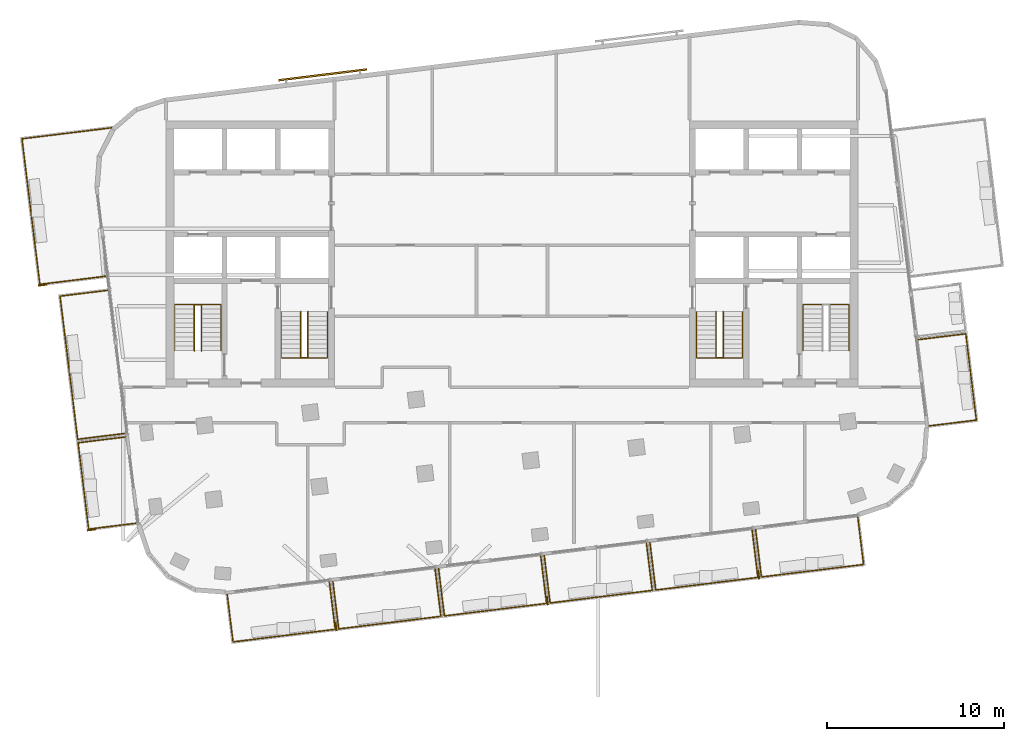
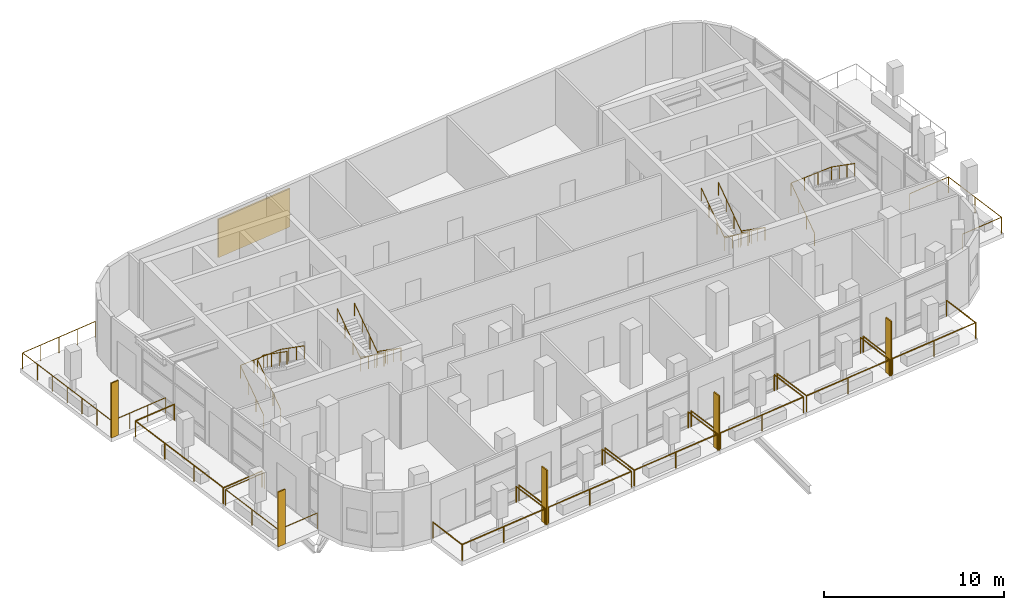
# One storey, part 11 of 13: 17 railings, 6 shading devices.
"""IFC4 building model written with IfcOpenShell, lengths in metres."""

import ifcopenshell
import ifcopenshell.guid

model = None  # the IFC model being written
_history = None  # IfcOwnerHistory: only IFC2X3 demands one
_inside = {}  # id of a spatial element -> (the spatial element, [elements in it])
_under = {}  # id of a project, library or spatial element -> (it, [spatial elements below it])
_declared = {}  # id of a project -> (the project, [libraries it declares])
_typed = {}  # id of a type object -> (the type object, [elements of that type])
_made_of = {}  # id of a material, layer set ... -> (it, [elements and type objects made of it])


def new_model(schema):
    """Start an empty IFC model of exactly this schema.

    Asked for "IFC4X3", IfcOpenShell would pick the latest addendum, in which some entities
    have other attributes; the version numbers below select the first issue.
    IFC2X3 requires an IfcOwnerHistory on every rooted entity: one is made here for all.
    """
    global model, _history
    if schema == "IFC4X3":
        model = ifcopenshell.file(schema_version=(4, 3, 0, 0))
    else:
        model = ifcopenshell.file(schema=schema)
    _inside.clear()
    _under.clear()
    _declared.clear()
    _typed.clear()
    _made_of.clear()
    _history = None
    if model.schema == "IFC2X3":
        org = make("IfcOrganization", Name="unknown")
        user = make(
            "IfcPersonAndOrganization",
            ThePerson=make("IfcPerson", FamilyName="unknown"),
            TheOrganization=org,
        )
        app = make(
            "IfcApplication",
            ApplicationDeveloper=org,
            Version="unknown",
            ApplicationFullName="unknown",
            ApplicationIdentifier="unknown",
        )
        _history = make(
            "IfcOwnerHistory",
            OwningUser=user,
            OwningApplication=app,
            ChangeAction="ADDED",
            CreationDate=0,
        )
    return model


def make(cls, **values):
    """One entity of the class cls with the attributes given. An attribute that is None is left unset."""
    return model.create_entity(
        cls, **{name: value for name, value in values.items() if value is not None}
    )


def rooted(cls, **values):
    """An entity with a GlobalId (a new one), such as an element, a storey or a relation."""
    return make(cls, GlobalId=ifcopenshell.guid.new(), OwnerHistory=_history, **values)


def si_unit(unit_type, name, prefix=None):
    """IfcSIUnit, for example si_unit("LENGTHUNIT", "METRE", prefix="MILLI")."""
    return make("IfcSIUnit", UnitType=unit_type, Prefix=prefix, Name=name)


def assignment(units):
    """IfcUnitAssignment: the units of a project."""
    return None if units is None else make("IfcUnitAssignment", Units=units)


def point(xyz):
    """IfcCartesianPoint."""
    return None if xyz is None else make("IfcCartesianPoint", Coordinates=xyz)


def direction(xyz):
    """IfcDirection."""
    return None if xyz is None else make("IfcDirection", DirectionRatios=xyz)


def frame(location, z_axis=None, x_axis=None):
    """IfcAxis2Placement3D, a coordinate frame: its origin and axes. An axis left out is left unset."""
    return make(
        "IfcAxis2Placement3D",
        Location=point(location),
        Axis=direction(z_axis),
        RefDirection=direction(x_axis),
    )


def frame_2d(location, x_axis=None):
    """IfcAxis2Placement2D, a coordinate frame in the plane: its origin and x axis."""
    return make(
        "IfcAxis2Placement2D", Location=point(location), RefDirection=direction(x_axis)
    )


def origin():
    """The frame at (0, 0, 0) with its axes left unset."""
    return frame((0.0, 0.0, 0.0))


def origin_2d():
    """The frame at (0, 0) in the plane with its x axis left unset."""
    return frame_2d((0.0, 0.0))


def place(relative_to, where):
    """IfcLocalPlacement: puts the frame where relative to a parent placement (None: the world)."""
    return make(
        "IfcLocalPlacement", PlacementRelTo=relative_to, RelativePlacement=where
    )


def context(
    kind, dimensions, precision=None, world=None, true_north=None, identifier=None
):
    """IfcGeometricRepresentationContext, for example the 3D "Model" context."""
    return make(
        "IfcGeometricRepresentationContext",
        ContextIdentifier=identifier,
        ContextType=kind,
        CoordinateSpaceDimension=dimensions,
        Precision=precision,
        WorldCoordinateSystem=world,
        TrueNorth=true_north,
    )


def subcontext(parent, identifier, kind, view, scale=None):
    """IfcGeometricRepresentationSubContext, for example "Body" below "Model"."""
    return make(
        "IfcGeometricRepresentationSubContext",
        ContextIdentifier=identifier,
        ContextType=kind,
        ParentContext=parent,
        TargetScale=scale,
        TargetView=view,
    )


def project(units=None, contexts=None):
    """IfcProject with its units and contexts."""
    return rooted(
        "IfcProject",
        Name="project",
        RepresentationContexts=contexts,
        UnitsInContext=assignment(units),
    )


def spatial(cls, under=None, at=None, **own):
    """A site, building, storey or space (cls), placed at a placement, below another one or the project."""
    s = rooted(cls, ObjectPlacement=at, **own)
    if under is not None:
        _under.setdefault(under.id(), (under, []))[1].append(s)
    return s


def profile(cls, at=None, kind="AREA", **sizes):
    """A parametric profile (cls). Its sizes go by their IFC names, for example OverallWidth=200.0."""
    return make(cls, ProfileType=kind, Position=at, **sizes)


def rectangle(**sizes):
    """IfcRectangleProfileDef."""
    return profile("IfcRectangleProfileDef", **sizes)


def circle(**sizes):
    """IfcCircleProfileDef."""
    return profile("IfcCircleProfileDef", **sizes)


def extrude(swept, where, along, depth):
    """IfcExtrudedAreaSolid: the profile swept, set in the frame where, extruded along a direction by depth."""
    return make(
        "IfcExtrudedAreaSolid",
        SweptArea=swept,
        Position=where,
        ExtrudedDirection=direction(along),
        Depth=depth,
    )


def shape(context_of_items, identifier, shape_type, items):
    """IfcShapeRepresentation: the items that make up one representation, for example the "Body"."""
    return make(
        "IfcShapeRepresentation",
        ContextOfItems=context_of_items,
        RepresentationIdentifier=identifier,
        RepresentationType=shape_type,
        Items=items,
    )


def material(Name=None, Category=None):
    """IfcMaterial."""
    return make("IfcMaterial", Name=Name, Category=Category)


def layer(
    of_material, thickness, ventilated=None, Name=None, Category=None, Priority=None
):
    """IfcMaterialLayer: one layer of a wall or slab, of a material (None: an air gap)."""
    return make(
        "IfcMaterialLayer",
        Material=of_material,
        LayerThickness=thickness,
        IsVentilated=ventilated,
        Name=Name,
        Category=Category,
        Priority=Priority,
    )


def layer_set(layers, Name=None):
    """IfcMaterialLayerSet."""
    return make("IfcMaterialLayerSet", MaterialLayers=layers, LayerSetName=Name)


def made_of(thing, what):
    """Note that an element or type object is made of a material, layer set ...; save() writes the relation."""
    if what is not None:
        _made_of.setdefault(what.id(), (what, []))[1].append(thing)
    return thing


def type_object(cls, material=None, **own):
    """A type object (cls), such as IfcWallType, which elements share."""
    return made_of(rooted(cls, **own), material)


def element(
    cls,
    number,
    at=None,
    inside=None,
    cuts=None,
    type_object=None,
    material=None,
    context=None,
    identifier="Body",
    shape_type=None,
    held_by="IfcProductDefinitionShape",
    body=None,
    shapes=None,
    **own,
):
    """One element of the class cls, such as IfcWall. Its Tag is "e" and its number.

    at: its placement. inside: the storey or other place that contains it. cuts: it is an
    opening in that element (IfcRelVoidsElement). A single representation is given by context,
    identifier, shape_type and body (its items); several are given by shapes. held_by: the class
    of the entity that holds the representations. save() writes the other relations.
    """
    e = rooted(cls, Tag="e%d" % number, ObjectPlacement=at, **own)
    if body is not None:
        shapes = [shape(context, identifier, shape_type, body)]
    if shapes is not None:
        e.Representation = make(held_by, Representations=shapes)
    if inside is not None:
        _inside.setdefault(inside.id(), (inside, []))[1].append(e)
    if cuts is not None:
        rooted(
            "IfcRelVoidsElement", RelatingBuildingElement=cuts, RelatedOpeningElement=e
        )
    if type_object is not None:
        _typed.setdefault(type_object.id(), (type_object, []))[1].append(e)
    return made_of(e, material)


def aggregate(whole, parts):
    """IfcRelAggregates: a whole, such as a stair, and the parts it consists of."""
    return rooted("IfcRelAggregates", RelatingObject=whole, RelatedObjects=parts)


def save(model, path):
    """Write the relations noted so far, then the file.

    IfcRelAggregates (storeys below a building ...), IfcRelContainedInSpatialStructure (elements
    in a storey), IfcRelDefinesByType, IfcRelAssociatesMaterial and IfcRelDeclares: one each for
    every whole, place, type object, material and project.
    """
    for whole, parts in _under.values():
        aggregate(whole, parts)
    for where, things in _inside.values():
        rooted(
            "IfcRelContainedInSpatialStructure",
            RelatedElements=things,
            RelatingStructure=where,
        )
    for kind, things in _typed.values():
        rooted("IfcRelDefinesByType", RelatedObjects=things, RelatingType=kind)
    for what, things in _made_of.values():
        rooted("IfcRelAssociatesMaterial", RelatedObjects=things, RelatingMaterial=what)
    for by, libraries in _declared.values():
        rooted("IfcRelDeclares", RelatingContext=by, RelatedDefinitions=libraries)
    model.write(path)


model = new_model("IFC4")

# Units and contexts
model_context = context("Model", 3, precision=1e-05, world=origin(), true_north=direction((0.0, 1.0)))
body_context = subcontext(model_context, "Body", "Model", "MODEL_VIEW")
ifc_project = project(units=[si_unit("LENGTHUNIT", "METRE"), si_unit("AREAUNIT", "SQUARE_METRE"), si_unit("VOLUMEUNIT", "CUBIC_METRE"), si_unit("PLANEANGLEUNIT", "RADIAN"), si_unit("MASSUNIT", "GRAM", prefix="KILO")], contexts=[model_context])

# Site, building, storey
site_placement = place(None, origin())
site = spatial("IfcSite", under=ifc_project, at=site_placement, CompositionType="ELEMENT")
building_placement = place(site_placement, origin())
building = spatial("IfcBuilding", under=site, at=building_placement, Name="Torana Hotel and Residences", CompositionType="ELEMENT")
storey_placement = place(building_placement, frame((0.0, 0.0, 314.60009765625)))
storey = spatial("IfcBuildingStorey", under=building, at=storey_placement, Name="L83", CompositionType="ELEMENT", Elevation=314.60009765625)

# Shading devices
ifc_material_1 = material(Name="Black powder coated aluminium", Category="aluminium")
ifc_layer_1 = layer(ifc_material_1, 0.080078125)
ifc_layer_set_1 = layer_set([ifc_layer_1], Name="FN1 VERTICAL FIN 500x80")
shading_device_type_1 = type_object("IfcShadingDeviceType", Name="FN1 VERTICAL FIN 500x80", PredefinedType="USERDEFINED", material=ifc_layer_set_1)
for number, where, z_axis, x_axis, name in (
    (1, (-9.921142578125, -28.4931640625, 0.0), (0.0, 0.0, 1.0), (-0.99254657704, -0.121865878765, 0.0), "Fin 01"),
    (2, (1.989501953125, -27.03076171875, 0.0), (0.0, 0.0, 1.0), (-0.99254657704, -0.121865878765, 0.0), "Fin 03"),
    (3, (13.89990234375, -25.568359375, 0.0), (0.0, 0.0, 1.0), (-0.99254657704, -0.121865878765, 0.0), "Fin 05"),
    (4, (-23.6982421875, -23.04150390625, 0.0), (0.0, 0.0, 1.0), (-0.121881469635, 0.992544662652, 0.0), "Fin 07"),
    (5, (-26.44970703125, -9.2490234375, 0.0), (0.0, 0.0, 1.0), (-0.121871075725, 0.992545938938, 0.0), "Fin 09"),
):
    element("IfcShadingDevice", number, at=place(storey_placement, frame(where, z_axis=z_axis, x_axis=x_axis)), inside=storey, type_object=shading_device_type_1, Name=name, ObjectType="FIN", PredefinedType="USERDEFINED", context=body_context, shape_type="SweptSolid", body=[
        extrude(rectangle(XDim=0.080078125, YDim=0.5, at=origin_2d()), origin(), (0.0, 0.0, 1.0), 3.719970703125),
    ])

# Railings
ifc_material_2 = material(Name="Laminated glass balustrade with black handrail", Category="glass")
railing_type_1 = type_object("IfcRailingType", Name="GR1 BALCONY GUARD 1100 GLASS", PredefinedType="GUARDRAIL", material=ifc_material_2)
railing_1_placement = place(storey_placement, frame((-10.29150390625, -25.969482421875, 0.0)))
element("IfcRailing", 6, at=railing_1_placement, inside=storey, type_object=railing_type_1, Name="Balcony guard 01", PredefinedType="GUARDRAIL", context=body_context, shape_type="SweptSolid", body=[
    extrude(circle(Radius=0.02392578125, at=origin_2d()), frame((0.0, 0.0, 1.076171875), z_axis=(0.121886613265, -0.992544031017, 0.0), x_axis=(0.992544031017, 0.121886613265, 0.0)), (0.0, 0.0, 1.0), 2.699951171875),
    extrude(circle(Radius=0.02392578125, at=origin_2d()), frame((0.3291015625, -2.679931640625, 1.076171875), z_axis=(-0.992547475119, -0.121858564057, 0.0), x_axis=(0.121858564057, -0.992547475119, 0.0)), (0.0, 0.0, 1.0), 5.800048828125),
    extrude(circle(Radius=0.02392578125, at=origin_2d()), frame((-5.427734375, -3.38671875, 1.076171875), z_axis=(-0.121797534772, 0.992554965996, 0.0), x_axis=(-0.992554965996, -0.121797534772, 0.0)), (0.0, 0.0, 1.0), 2.699951171875),
    extrude(circle(Radius=0.02099609375, at=origin_2d()), origin(), (0.0, 0.0, 1.0), 1.052001953125),
    extrude(circle(Radius=0.02099609375, at=origin_2d()), frame((0.3291015625, -2.679931640625, 0.0)), (0.0, 0.0, 1.0), 1.052001953125),
    extrude(circle(Radius=0.02099609375, at=origin_2d()), frame((-2.54931640625, -3.033203125, 0.0)), (0.0, 0.0, 1.0), 1.052001953125),
    extrude(circle(Radius=0.02099609375, at=origin_2d()), frame((-5.427734375, -3.38671875, 0.0)), (0.0, 0.0, 1.0), 1.052001953125),
    extrude(circle(Radius=0.02099609375, at=origin_2d()), frame((-5.756591796875, -0.706787109375, 0.0)), (0.0, 0.0, 1.0), 1.052001953125),
])
for number, where, name in (
    (7, (-4.336181640625, -25.23828125, 0.0), "Balcony guard 02"),
    (8, (1.619140625, -24.507080078125, 0.0), "Balcony guard 03"),
):
    element("IfcRailing", number, at=place(storey_placement, frame(where)), inside=storey, type_object=railing_type_1, Name=name, PredefinedType="GUARDRAIL", context=body_context, shape_type="SweptSolid", body=[
        extrude(circle(Radius=0.02392578125, at=origin_2d()), frame((0.0, 0.0, 1.076171875), z_axis=(0.121886613265, -0.992544031017, 0.0), x_axis=(0.992544031017, 0.121886613265, 0.0)), (0.0, 0.0, 1.0), 2.699951171875),
        extrude(circle(Radius=0.02392578125, at=origin_2d()), frame((0.3291015625, -2.679931640625, 1.076171875), z_axis=(-0.992547475119, -0.121858564057, 0.0), x_axis=(0.121858564057, -0.992547475119, 0.0)), (0.0, 0.0, 1.0), 5.800048828125),
        extrude(circle(Radius=0.02392578125, at=origin_2d()), frame((-5.427734375, -3.38671875, 1.076171875), z_axis=(-0.121886613265, 0.992544031017, 0.0), x_axis=(-0.992544031017, -0.121886613265, 0.0)), (0.0, 0.0, 1.0), 2.699951171875),
        extrude(circle(Radius=0.02099609375, at=origin_2d()), origin(), (0.0, 0.0, 1.0), 1.052001953125),
        extrude(circle(Radius=0.02099609375, at=origin_2d()), frame((0.3291015625, -2.679931640625, 0.0)), (0.0, 0.0, 1.0), 1.052001953125),
        extrude(circle(Radius=0.02099609375, at=origin_2d()), frame((-2.54931640625, -3.033203125, 0.0)), (0.0, 0.0, 1.0), 1.052001953125),
        extrude(circle(Radius=0.02099609375, at=origin_2d()), frame((-5.427734375, -3.38671875, 0.0)), (0.0, 0.0, 1.0), 1.052001953125),
        extrude(circle(Radius=0.02099609375, at=origin_2d()), frame((-5.7568359375, -0.706787109375, 0.0)), (0.0, 0.0, 1.0), 1.052001953125),
    ])
railing_2_placement = place(storey_placement, frame((7.57421875, -23.77587890625, 0.0)))
element("IfcRailing", 9, at=railing_2_placement, inside=storey, type_object=railing_type_1, Name="Balcony guard 04", PredefinedType="GUARDRAIL", context=body_context, shape_type="SweptSolid", body=[
    extrude(circle(Radius=0.02392578125, at=origin_2d()), frame((0.0, 0.0, 1.076171875), z_axis=(0.121886613265, -0.992544031017, 0.0), x_axis=(0.992544031017, 0.121886613265, 0.0)), (0.0, 0.0, 1.0), 2.699951171875),
    extrude(circle(Radius=0.02392578125, at=origin_2d()), frame((0.3291015625, -2.679931640625, 1.076171875), z_axis=(-0.992546850023, -0.121863655406, 0.0), x_axis=(0.121863655406, -0.992546850023, 0.0)), (0.0, 0.0, 1.0), 5.7998046875),
    extrude(circle(Radius=0.02392578125, at=origin_2d()), frame((-5.427490234375, -3.38671875, 1.076171875), z_axis=(-0.121886613265, 0.992544031017, 0.0), x_axis=(-0.992544031017, -0.121886613265, 0.0)), (0.0, 0.0, 1.0), 2.699951171875),
    extrude(circle(Radius=0.02099609375, at=origin_2d()), origin(), (0.0, 0.0, 1.0), 1.052001953125),
    extrude(circle(Radius=0.02099609375, at=origin_2d()), frame((0.3291015625, -2.679931640625, 0.0)), (0.0, 0.0, 1.0), 1.052001953125),
    extrude(circle(Radius=0.02099609375, at=origin_2d()), frame((-2.54931640625, -3.033203125, 0.0)), (0.0, 0.0, 1.0), 1.052001953125),
    extrude(circle(Radius=0.02099609375, at=origin_2d()), frame((-5.427490234375, -3.38671875, 0.0)), (0.0, 0.0, 1.0), 1.052001953125),
    extrude(circle(Radius=0.02099609375, at=origin_2d()), frame((-5.756591796875, -0.706787109375, 0.0)), (0.0, 0.0, 1.0), 1.052001953125),
])
for number, where, name in (
    (10, (13.529541015625, -23.044677734375, 0.0), "Balcony guard 05"),
    (11, (19.48486328125, -22.3134765625, 0.0), "Balcony guard 06"),
):
    element("IfcRailing", number, at=place(storey_placement, frame(where)), inside=storey, type_object=railing_type_1, Name=name, PredefinedType="GUARDRAIL", context=body_context, shape_type="SweptSolid", body=[
        extrude(circle(Radius=0.02392578125, at=origin_2d()), frame((0.0, 0.0, 1.076171875), z_axis=(0.121886613265, -0.992544031017, 0.0), x_axis=(0.992544031017, 0.121886613265, 0.0)), (0.0, 0.0, 1.0), 2.699951171875),
        extrude(circle(Radius=0.02392578125, at=origin_2d()), frame((0.3291015625, -2.679931640625, 1.076171875), z_axis=(-0.992547475119, -0.121858564057, 0.0), x_axis=(0.121858564057, -0.992547475119, 0.0)), (0.0, 0.0, 1.0), 5.800048828125),
        extrude(circle(Radius=0.02392578125, at=origin_2d()), frame((-5.427734375, -3.38671875, 1.076171875), z_axis=(-0.121797534772, 0.992554965996, 0.0), x_axis=(-0.992554965996, -0.121797534772, 0.0)), (0.0, 0.0, 1.0), 2.699951171875),
        extrude(circle(Radius=0.02099609375, at=origin_2d()), origin(), (0.0, 0.0, 1.0), 1.052001953125),
        extrude(circle(Radius=0.02099609375, at=origin_2d()), frame((0.3291015625, -2.679931640625, 0.0)), (0.0, 0.0, 1.0), 1.052001953125),
        extrude(circle(Radius=0.02099609375, at=origin_2d()), frame((-2.54931640625, -3.033203125, 0.0)), (0.0, 0.0, 1.0), 1.052001953125),
        extrude(circle(Radius=0.02099609375, at=origin_2d()), frame((-5.427734375, -3.38671875, 0.0)), (0.0, 0.0, 1.0), 1.052001953125),
        extrude(circle(Radius=0.02099609375, at=origin_2d()), frame((-5.756591796875, -0.706787109375, 0.0)), (0.0, 0.0, 1.0), 1.052001953125),
    ])
railing_3_placement = place(storey_placement, frame((-21.174560546875, -22.671142578125, 0.0)))
element("IfcRailing", 12, at=railing_3_placement, inside=storey, type_object=railing_type_1, Name="Balcony guard 07", PredefinedType="GUARDRAIL", context=body_context, shape_type="SweptSolid", body=[
    extrude(circle(Radius=0.02392578125, at=origin_2d()), frame((0.0, 0.0, 1.076171875), z_axis=(-0.992544031017, -0.121886613265, 0.0), x_axis=(0.121886613265, -0.992544031017, 0.0)), (0.0, 0.0, 1.0), 2.699951171875),
    extrude(circle(Radius=0.02392578125, at=origin_2d()), frame((-2.679931640625, -0.3291015625, 1.076171875), z_axis=(-0.121869773493, 0.992546098833, 0.0), x_axis=(-0.992546098833, -0.121869773493, 0.0)), (0.0, 0.0, 1.0), 4.900146484375),
    extrude(circle(Radius=0.02392578125, at=origin_2d()), frame((-3.277099609375, 4.534423828125, 1.076171875), z_axis=(0.992554965996, 0.121797534772, 0.0), x_axis=(-0.121797534772, 0.992554965996, 0.0)), (0.0, 0.0, 1.0), 2.699951171875),
    extrude(circle(Radius=0.02099609375, at=origin_2d()), origin(), (0.0, 0.0, 1.0), 1.052001953125),
    extrude(circle(Radius=0.02099609375, at=origin_2d()), frame((-2.679931640625, -0.3291015625, 0.0)), (0.0, 0.0, 1.0), 1.052001953125),
    extrude(circle(Radius=0.02099609375, at=origin_2d()), frame((-2.978515625, 2.1025390625, 0.0)), (0.0, 0.0, 1.0), 1.052001953125),
    extrude(circle(Radius=0.02099609375, at=origin_2d()), frame((-3.277099609375, 4.534423828125, 0.0)), (0.0, 0.0, 1.0), 1.052001953125),
    extrude(circle(Radius=0.02099609375, at=origin_2d()), frame((-0.59716796875, 4.86328125, 0.0)), (0.0, 0.0, 1.0), 1.052001953125),
])
railing_4_placement = place(storey_placement, frame((-21.796142578125, -17.609130859375, 0.0)))
element("IfcRailing", 13, at=railing_4_placement, inside=storey, type_object=railing_type_1, Name="Balcony guard 08", PredefinedType="GUARDRAIL", context=body_context, shape_type="SweptSolid", body=[
    extrude(circle(Radius=0.02392578125, at=origin_2d()), frame((0.0, 0.0, 1.076171875), z_axis=(-0.992544031017, -0.121886613265, 0.0), x_axis=(0.121886613265, -0.992544031017, 0.0)), (0.0, 0.0, 1.0), 2.699951171875),
    extrude(circle(Radius=0.02392578125, at=origin_2d()), frame((-2.679931640625, -0.3291015625, 1.076171875), z_axis=(-0.121845081243, 0.992549130359, 0.0), x_axis=(-0.992549130359, -0.121845081243, 0.0)), (0.0, 0.0, 1.0), 8.125),
    extrude(circle(Radius=0.02392578125, at=origin_2d()), frame((-3.669921875, 7.7353515625, 1.076171875), z_axis=(0.992554965996, 0.121797534772, 0.0), x_axis=(-0.121797534772, 0.992554965996, 0.0)), (0.0, 0.0, 1.0), 2.699951171875),
    extrude(circle(Radius=0.02099609375, at=origin_2d()), origin(), (0.0, 0.0, 1.0), 1.052001953125),
    extrude(circle(Radius=0.02099609375, at=origin_2d()), frame((-2.679931640625, -0.3291015625, 0.0)), (0.0, 0.0, 1.0), 1.052001953125),
    extrude(circle(Radius=0.02099609375, at=origin_2d()), frame((-3.010009765625, 2.359130859375, 0.0)), (0.0, 0.0, 1.0), 1.052001953125),
    extrude(circle(Radius=0.02099609375, at=origin_2d()), frame((-3.33984375, 5.047119140625, 0.0)), (0.0, 0.0, 1.0), 1.052001953125),
    extrude(circle(Radius=0.02099609375, at=origin_2d()), frame((-3.669921875, 7.7353515625, 0.0)), (0.0, 0.0, 1.0), 1.052001953125),
    extrude(circle(Radius=0.02099609375, at=origin_2d()), frame((-0.989990234375, 8.064208984375, 0.0)), (0.0, 0.0, 1.0), 1.052001953125),
])
railing_5_placement = place(storey_placement, frame((-22.8837890625, -8.750732421875, 0.0)))
element("IfcRailing", 14, at=railing_5_placement, inside=storey, type_object=railing_type_1, Name="Balcony guard 09", PredefinedType="GUARDRAIL", context=body_context, shape_type="SweptSolid", body=[
    extrude(circle(Radius=0.02392578125, at=origin_2d()), frame((0.0, 0.0, 1.076171875), z_axis=(-0.992544975267, -0.121878923824, 0.0), x_axis=(0.121878923824, -0.992544975267, 0.0)), (0.0, 0.0, 1.0), 3.75),
    extrude(circle(Radius=0.02392578125, at=origin_2d()), frame((-3.721923828125, -0.45703125, 1.076171875), z_axis=(-0.121878024543, 0.992545085693, 0.0), x_axis=(-0.992545085693, -0.121878024543, 0.0)), (0.0, 0.0, 1.0), 8.262939453125),
    extrude(circle(Radius=0.02392578125, at=origin_2d()), frame((-4.72900390625, 7.744384765625, 1.076171875), z_axis=(0.992542638755, 0.12189795016, 0.0), x_axis=(-0.12189795016, 0.992542638755, 0.0)), (0.0, 0.0, 1.0), 5.0771484375),
    extrude(circle(Radius=0.02099609375, at=origin_2d()), origin(), (0.0, 0.0, 1.0), 1.052001953125),
    extrude(circle(Radius=0.02099609375, at=origin_2d()), frame((-1.24072265625, -0.15234375, 0.0)), (0.0, 0.0, 1.0), 1.052001953125),
    extrude(circle(Radius=0.02099609375, at=origin_2d()), frame((-2.481201171875, -0.3046875, 0.0)), (0.0, 0.0, 1.0), 1.052001953125),
    extrude(circle(Radius=0.02099609375, at=origin_2d()), frame((-3.721923828125, -0.45703125, 0.0)), (0.0, 0.0, 1.0), 1.052001953125),
    extrude(circle(Radius=0.02099609375, at=origin_2d()), frame((-3.8896484375, 0.909912109375, 0.0)), (0.0, 0.0, 1.0), 1.052001953125),
    extrude(circle(Radius=0.02099609375, at=origin_2d()), frame((-4.0576171875, 2.27685546875, 0.0)), (0.0, 0.0, 1.0), 1.052001953125),
    extrude(circle(Radius=0.02099609375, at=origin_2d()), frame((-4.2255859375, 3.6435546875, 0.0)), (0.0, 0.0, 1.0), 1.052001953125),
    extrude(circle(Radius=0.02099609375, at=origin_2d()), frame((-4.393310546875, 5.010498046875, 0.0)), (0.0, 0.0, 1.0), 1.052001953125),
    extrude(circle(Radius=0.02099609375, at=origin_2d()), frame((-4.56103515625, 6.37744140625, 0.0)), (0.0, 0.0, 1.0), 1.052001953125),
    extrude(circle(Radius=0.02099609375, at=origin_2d()), frame((-4.72900390625, 7.744384765625, 0.0)), (0.0, 0.0, 1.0), 1.052001953125),
    extrude(circle(Radius=0.02099609375, at=origin_2d()), frame((-3.46923828125, 7.899169921875, 0.0)), (0.0, 0.0, 1.0), 1.052001953125),
    extrude(circle(Radius=0.02099609375, at=origin_2d()), frame((-2.20947265625, 8.0537109375, 0.0)), (0.0, 0.0, 1.0), 1.052001953125),
    extrude(circle(Radius=0.02099609375, at=origin_2d()), frame((-0.949462890625, 8.20849609375, 0.0)), (0.0, 0.0, 1.0), 1.052001953125),
    extrude(circle(Radius=0.02099609375, at=origin_2d()), frame((0.310302734375, 8.36328125, 0.0)), (0.0, 0.0, 1.0), 1.052001953125),
])
railing_6_placement = place(storey_placement, frame((22.892822265625, -12.32373046875, 0.0)))
element("IfcRailing", 15, at=railing_6_placement, inside=storey, type_object=railing_type_1, Name="Balcony guard 10", PredefinedType="GUARDRAIL", context=body_context, shape_type="SweptSolid", body=[
    extrude(circle(Radius=0.02392578125, at=origin_2d()), frame((0.0, 0.0, 1.076171875), z_axis=(0.992544031017, 0.121886613265, 0.0), x_axis=(-0.121886613265, 0.992544031017, 0.0)), (0.0, 0.0, 1.0), 2.699951171875),
    extrude(circle(Radius=0.02392578125, at=origin_2d()), frame((2.679931640625, 0.3291015625, 1.076171875), z_axis=(0.121869773493, -0.992546098833, 0.0), x_axis=(0.992546098833, 0.121869773493, 0.0)), (0.0, 0.0, 1.0), 4.900146484375),
    extrude(circle(Radius=0.02392578125, at=origin_2d()), frame((3.277099609375, -4.534423828125, 1.076171875), z_axis=(-0.992554965996, -0.121797534772, 0.0), x_axis=(0.121797534772, -0.992554965996, 0.0)), (0.0, 0.0, 1.0), 2.699951171875),
    extrude(circle(Radius=0.02099609375, at=origin_2d()), origin(), (0.0, 0.0, 1.0), 1.052001953125),
    extrude(circle(Radius=0.02099609375, at=origin_2d()), frame((2.679931640625, 0.3291015625, 0.0)), (0.0, 0.0, 1.0), 1.052001953125),
    extrude(circle(Radius=0.02099609375, at=origin_2d()), frame((2.978515625, -2.1025390625, 0.0)), (0.0, 0.0, 1.0), 1.052001953125),
    extrude(circle(Radius=0.02099609375, at=origin_2d()), frame((3.277099609375, -4.534423828125, 0.0)), (0.0, 0.0, 1.0), 1.052001953125),
    extrude(circle(Radius=0.02099609375, at=origin_2d()), frame((0.59716796875, -4.86328125, 0.0)), (0.0, 0.0, 1.0), 1.052001953125),
])

# Shading device
ifc_material_3 = material(Name="Concrete C40/50 precast", Category="concrete")
ifc_layer_2 = layer(ifc_material_3, 0.10009765625)
ifc_layer_set_2 = layer_set([ifc_layer_2], Name="SC1 PERFORATED BLOCK SCREEN PANEL 100")
shading_device_type_2 = type_object("IfcShadingDeviceType", Name="SC1 PERFORATED BLOCK SCREEN PANEL 100", PredefinedType="USERDEFINED", material=ifc_layer_set_2)
shading_device_placement = place(storey_placement, frame((-10.663330078125, 2.59814453125, 0.499755859375), z_axis=(0.0, 0.0, 1.0), x_axis=(-0.99254657704, -0.121865878765, 0.0)))
element("IfcShadingDevice", 16, at=shading_device_placement, inside=storey, type_object=shading_device_type_2, Name="Perforated block screen L83", ObjectType="SCREEN", PredefinedType="USERDEFINED", context=body_context, shape_type="SweptSolid", body=[
    extrude(rectangle(XDim=5.0, YDim=0.10009765625, at=origin_2d()), origin(), (0.0, 0.0, 1.0), 2.60009765625),
])

# Railings
ifc_material_4 = material(Name="Stainless steel 316", Category="steel")
railing_type_2 = type_object("IfcRailingType", Name="STAIR HANDRAIL HR1 900", PredefinedType="HANDRAIL", material=ifc_material_4)
railing_7_placement = place(storey_placement, frame((-10.39990234375, -10.75, 0.181640625)))
element("IfcRailing", 17, at=railing_7_placement, inside=storey, type_object=railing_type_2, Name="Handrail ST1 L83 O1", PredefinedType="HANDRAIL", context=body_context, shape_type="SweptSolid", body=[
    extrude(circle(Radius=0.02392578125, at=origin_2d()), frame((0.0, 0.0, 0.8759765625), z_axis=(0.0, -0.819484887739, 0.573100792852), x_axis=(1.0, 0.0, 0.0)), (0.0, 0.0, 1.0), 3.1728515625),
    extrude(circle(Radius=0.02392578125, at=origin_2d()), frame((0.0, -2.60009765625, 2.6943359375), z_axis=(-0.997568744571, 0.0, 0.06968930948), x_axis=(0.0, -1.0, 0.0)), (0.0, 0.0, 1.0), 2.6064453125),
    extrude(circle(Radius=0.02392578125, at=origin_2d()), frame((-2.60009765625, -2.60009765625, 2.8759765625), z_axis=(0.0, 0.819484887739, 0.573100792852), x_axis=(-1.0, 0.0, 0.0)), (0.0, 0.0, 1.0), 3.1728515625),
    extrude(circle(Radius=0.02099609375, at=origin_2d()), origin(), (0.0, 0.0, 1.0), 0.851806640625),
    extrude(circle(Radius=0.02099609375, at=origin_2d()), frame((0.0, -0.86669921875, 0.606201171875)), (0.0, 0.0, 1.0), 0.851806640625),
    extrude(circle(Radius=0.02099609375, at=origin_2d()), frame((0.0, -1.7333984375, 1.212158203125)), (0.0, 0.0, 1.0), 0.851806640625),
    extrude(circle(Radius=0.02099609375, at=origin_2d()), frame((0.0, -2.60009765625, 1.818359375)), (0.0, 0.0, 1.0), 0.851806640625),
    extrude(circle(Radius=0.02099609375, at=origin_2d()), frame((-0.86669921875, -2.60009765625, 1.87890625)), (0.0, 0.0, 1.0), 0.851806640625),
    extrude(circle(Radius=0.02099609375, at=origin_2d()), frame((-1.7333984375, -2.60009765625, 1.939453125)), (0.0, 0.0, 1.0), 0.851806640625),
    extrude(circle(Radius=0.02099609375, at=origin_2d()), frame((-2.60009765625, -2.60009765625, 2.0)), (0.0, 0.0, 1.0), 0.851806640625),
    extrude(circle(Radius=0.02099609375, at=origin_2d()), frame((-2.60009765625, -1.7333984375, 2.606201171875)), (0.0, 0.0, 1.0), 0.851806640625),
    extrude(circle(Radius=0.02099609375, at=origin_2d()), frame((-2.60009765625, -0.86669921875, 3.212158203125)), (0.0, 0.0, 1.0), 0.851806640625),
    extrude(circle(Radius=0.02099609375, at=origin_2d()), frame((-2.60009765625, 0.0, 3.818359375)), (0.0, 0.0, 1.0), 0.851806640625),
])
railing_8_placement = place(storey_placement, frame((-11.5, -10.75, 0.181640625)))
element("IfcRailing", 18, at=railing_8_placement, inside=storey, type_object=railing_type_2, Name="Handrail ST1 L83 I1", PredefinedType="HANDRAIL", context=body_context, shape_type="SweptSolid", body=[
    extrude(circle(Radius=0.02392578125, at=origin_2d()), frame((0.0, 0.0, 0.8759765625), z_axis=(0.0, -0.819484887739, 0.573100792852), x_axis=(1.0, 0.0, 0.0)), (0.0, 0.0, 1.0), 3.1728515625),
    extrude(circle(Radius=0.02392578125, at=origin_2d()), frame((0.0, -2.60009765625, 2.6943359375), z_axis=(-0.910480658332, 0.0, 0.413551654334), x_axis=(0.0, -1.0, 0.0)), (0.0, 0.0, 1.0), 0.439208984375),
    extrude(circle(Radius=0.02392578125, at=origin_2d()), frame((-0.39990234375, -2.60009765625, 2.8759765625), z_axis=(0.0, 0.819484887739, 0.573100792852), x_axis=(-1.0, 0.0, 0.0)), (0.0, 0.0, 1.0), 3.1728515625),
    extrude(circle(Radius=0.02099609375, at=origin_2d()), origin(), (0.0, 0.0, 1.0), 0.851806640625),
    extrude(circle(Radius=0.02099609375, at=origin_2d()), frame((0.0, -0.86669921875, 0.606201171875)), (0.0, 0.0, 1.0), 0.851806640625),
    extrude(circle(Radius=0.02099609375, at=origin_2d()), frame((0.0, -1.7333984375, 1.212158203125)), (0.0, 0.0, 1.0), 0.851806640625),
    extrude(circle(Radius=0.02099609375, at=origin_2d()), frame((0.0, -2.60009765625, 1.818359375)), (0.0, 0.0, 1.0), 0.851806640625),
    extrude(circle(Radius=0.02099609375, at=origin_2d()), frame((-0.39990234375, -2.60009765625, 2.0)), (0.0, 0.0, 1.0), 0.851806640625),
    extrude(circle(Radius=0.02099609375, at=origin_2d()), frame((-0.39990234375, -1.7333984375, 2.606201171875)), (0.0, 0.0, 1.0), 0.851806640625),
    extrude(circle(Radius=0.02099609375, at=origin_2d()), frame((-0.39990234375, -0.86669921875, 3.212158203125)), (0.0, 0.0, 1.0), 0.851806640625),
    extrude(circle(Radius=0.02099609375, at=origin_2d()), frame((-0.39990234375, 0.0, 3.818359375)), (0.0, 0.0, 1.0), 0.851806640625),
])
railing_9_placement = place(storey_placement, frame((-19.0, -12.949951171875, 0.181640625)))
element("IfcRailing", 19, at=railing_9_placement, inside=storey, type_object=railing_type_2, Name="Handrail ST2 L83 O1", PredefinedType="HANDRAIL", context=body_context, shape_type="SweptSolid", body=[
    extrude(circle(Radius=0.02392578125, at=origin_2d()), frame((0.0, 0.0, 0.8759765625), z_axis=(0.0, 0.819459612548, 0.573136932506), x_axis=(-1.0, 0.0, 0.0)), (0.0, 0.0, 1.0), 3.172607421875),
    extrude(circle(Radius=0.02392578125, at=origin_2d()), frame((0.0, 2.599853515625, 2.6943359375), z_axis=(0.997568744571, 0.0, 0.06968930948), x_axis=(0.0, 1.0, 0.0)), (0.0, 0.0, 1.0), 2.6064453125),
    extrude(circle(Radius=0.02392578125, at=origin_2d()), frame((2.60009765625, 2.599853515625, 2.8759765625), z_axis=(0.0, -0.819459612548, 0.573136932506), x_axis=(1.0, 0.0, 0.0)), (0.0, 0.0, 1.0), 3.172607421875),
    extrude(circle(Radius=0.02099609375, at=origin_2d()), origin(), (0.0, 0.0, 1.0), 0.851806640625),
    extrude(circle(Radius=0.02099609375, at=origin_2d()), frame((0.0, 0.86669921875, 0.606201171875)), (0.0, 0.0, 1.0), 0.851806640625),
    extrude(circle(Radius=0.02099609375, at=origin_2d()), frame((0.0, 1.733154296875, 1.212158203125)), (0.0, 0.0, 1.0), 0.851806640625),
    extrude(circle(Radius=0.02099609375, at=origin_2d()), frame((0.0, 2.599853515625, 1.818359375)), (0.0, 0.0, 1.0), 0.851806640625),
    extrude(circle(Radius=0.02099609375, at=origin_2d()), frame((0.86669921875, 2.599853515625, 1.87890625)), (0.0, 0.0, 1.0), 0.851806640625),
    extrude(circle(Radius=0.02099609375, at=origin_2d()), frame((1.7333984375, 2.599853515625, 1.939453125)), (0.0, 0.0, 1.0), 0.851806640625),
    extrude(circle(Radius=0.02099609375, at=origin_2d()), frame((2.60009765625, 2.599853515625, 2.0)), (0.0, 0.0, 1.0), 0.851806640625),
    extrude(circle(Radius=0.02099609375, at=origin_2d()), frame((2.60009765625, 1.733154296875, 2.606201171875)), (0.0, 0.0, 1.0), 0.851806640625),
    extrude(circle(Radius=0.02099609375, at=origin_2d()), frame((2.60009765625, 0.86669921875, 3.212158203125)), (0.0, 0.0, 1.0), 0.851806640625),
    extrude(circle(Radius=0.02099609375, at=origin_2d()), frame((2.60009765625, 0.0, 3.818359375)), (0.0, 0.0, 1.0), 0.851806640625),
])
railing_10_placement = place(storey_placement, frame((-17.89990234375, -12.949951171875, 0.181640625)))
element("IfcRailing", 20, at=railing_10_placement, inside=storey, type_object=railing_type_2, Name="Handrail ST2 L83 I1", PredefinedType="HANDRAIL", context=body_context, shape_type="SweptSolid", body=[
    extrude(circle(Radius=0.02392578125, at=origin_2d()), frame((0.0, 0.0, 0.8759765625), z_axis=(0.0, 0.819459612548, 0.573136932506), x_axis=(-1.0, 0.0, 0.0)), (0.0, 0.0, 1.0), 3.172607421875),
    extrude(circle(Radius=0.02392578125, at=origin_2d()), frame((0.0, 2.599853515625, 2.6943359375), z_axis=(0.910480658332, 0.0, 0.413551654334), x_axis=(0.0, 1.0, 0.0)), (0.0, 0.0, 1.0), 0.439208984375),
    extrude(circle(Radius=0.02392578125, at=origin_2d()), frame((0.39990234375, 2.599853515625, 2.8759765625), z_axis=(0.0, -0.819459612548, 0.573136932506), x_axis=(1.0, 0.0, 0.0)), (0.0, 0.0, 1.0), 3.172607421875),
    extrude(circle(Radius=0.02099609375, at=origin_2d()), origin(), (0.0, 0.0, 1.0), 0.851806640625),
    extrude(circle(Radius=0.02099609375, at=origin_2d()), frame((0.0, 0.86669921875, 0.606201171875)), (0.0, 0.0, 1.0), 0.851806640625),
    extrude(circle(Radius=0.02099609375, at=origin_2d()), frame((0.0, 1.733154296875, 1.212158203125)), (0.0, 0.0, 1.0), 0.851806640625),
    extrude(circle(Radius=0.02099609375, at=origin_2d()), frame((0.0, 2.599853515625, 1.818359375)), (0.0, 0.0, 1.0), 0.851806640625),
    extrude(circle(Radius=0.02099609375, at=origin_2d()), frame((0.39990234375, 2.599853515625, 2.0)), (0.0, 0.0, 1.0), 0.851806640625),
    extrude(circle(Radius=0.02099609375, at=origin_2d()), frame((0.39990234375, 1.733154296875, 2.606201171875)), (0.0, 0.0, 1.0), 0.851806640625),
    extrude(circle(Radius=0.02099609375, at=origin_2d()), frame((0.39990234375, 0.86669921875, 3.212158203125)), (0.0, 0.0, 1.0), 0.851806640625),
    extrude(circle(Radius=0.02099609375, at=origin_2d()), frame((0.39990234375, 0.0, 3.818359375)), (0.0, 0.0, 1.0), 0.851806640625),
])
railing_11_placement = place(storey_placement, frame((13.0, -10.75, 0.181640625)))
element("IfcRailing", 21, at=railing_11_placement, inside=storey, type_object=railing_type_2, Name="Handrail ST3 L83 O1", PredefinedType="HANDRAIL", context=body_context, shape_type="SweptSolid", body=[
    extrude(circle(Radius=0.02392578125, at=origin_2d()), frame((0.0, 0.0, 0.8759765625), z_axis=(0.0, -0.819484887739, 0.573100792852), x_axis=(1.0, 0.0, 0.0)), (0.0, 0.0, 1.0), 3.1728515625),
    extrude(circle(Radius=0.02392578125, at=origin_2d()), frame((0.0, -2.60009765625, 2.6943359375), z_axis=(-0.997568744571, 0.0, 0.06968930948), x_axis=(0.0, -1.0, 0.0)), (0.0, 0.0, 1.0), 2.6064453125),
    extrude(circle(Radius=0.02392578125, at=origin_2d()), frame((-2.60009765625, -2.60009765625, 2.8759765625), z_axis=(0.0, 0.819484887739, 0.573100792852), x_axis=(-1.0, 0.0, 0.0)), (0.0, 0.0, 1.0), 3.1728515625),
    extrude(circle(Radius=0.02099609375, at=origin_2d()), origin(), (0.0, 0.0, 1.0), 0.851806640625),
    extrude(circle(Radius=0.02099609375, at=origin_2d()), frame((0.0, -0.86669921875, 0.606201171875)), (0.0, 0.0, 1.0), 0.851806640625),
    extrude(circle(Radius=0.02099609375, at=origin_2d()), frame((0.0, -1.7333984375, 1.212158203125)), (0.0, 0.0, 1.0), 0.851806640625),
    extrude(circle(Radius=0.02099609375, at=origin_2d()), frame((0.0, -2.60009765625, 1.818359375)), (0.0, 0.0, 1.0), 0.851806640625),
    extrude(circle(Radius=0.02099609375, at=origin_2d()), frame((-0.86669921875, -2.60009765625, 1.87890625)), (0.0, 0.0, 1.0), 0.851806640625),
    extrude(circle(Radius=0.02099609375, at=origin_2d()), frame((-1.7333984375, -2.60009765625, 1.939453125)), (0.0, 0.0, 1.0), 0.851806640625),
    extrude(circle(Radius=0.02099609375, at=origin_2d()), frame((-2.60009765625, -2.60009765625, 2.0)), (0.0, 0.0, 1.0), 0.851806640625),
    extrude(circle(Radius=0.02099609375, at=origin_2d()), frame((-2.60009765625, -1.7333984375, 2.606201171875)), (0.0, 0.0, 1.0), 0.851806640625),
    extrude(circle(Radius=0.02099609375, at=origin_2d()), frame((-2.60009765625, -0.86669921875, 3.212158203125)), (0.0, 0.0, 1.0), 0.851806640625),
    extrude(circle(Radius=0.02099609375, at=origin_2d()), frame((-2.60009765625, 0.0, 3.818359375)), (0.0, 0.0, 1.0), 0.851806640625),
])
railing_12_placement = place(storey_placement, frame((11.89990234375, -10.75, 0.181640625)))
element("IfcRailing", 22, at=railing_12_placement, inside=storey, type_object=railing_type_2, Name="Handrail ST3 L83 I1", PredefinedType="HANDRAIL", context=body_context, shape_type="SweptSolid", body=[
    extrude(circle(Radius=0.02392578125, at=origin_2d()), frame((0.0, 0.0, 0.8759765625), z_axis=(0.0, -0.819484887739, 0.573100792852), x_axis=(1.0, 0.0, 0.0)), (0.0, 0.0, 1.0), 3.1728515625),
    extrude(circle(Radius=0.02392578125, at=origin_2d()), frame((0.0, -2.60009765625, 2.6943359375), z_axis=(-0.910480658332, 0.0, 0.413551654334), x_axis=(0.0, -1.0, 0.0)), (0.0, 0.0, 1.0), 0.439208984375),
    extrude(circle(Radius=0.02392578125, at=origin_2d()), frame((-0.39990234375, -2.60009765625, 2.8759765625), z_axis=(0.0, 0.819484887739, 0.573100792852), x_axis=(-1.0, 0.0, 0.0)), (0.0, 0.0, 1.0), 3.1728515625),
    extrude(circle(Radius=0.02099609375, at=origin_2d()), origin(), (0.0, 0.0, 1.0), 0.851806640625),
    extrude(circle(Radius=0.02099609375, at=origin_2d()), frame((0.0, -0.86669921875, 0.606201171875)), (0.0, 0.0, 1.0), 0.851806640625),
    extrude(circle(Radius=0.02099609375, at=origin_2d()), frame((0.0, -1.7333984375, 1.212158203125)), (0.0, 0.0, 1.0), 0.851806640625),
    extrude(circle(Radius=0.02099609375, at=origin_2d()), frame((0.0, -2.60009765625, 1.818359375)), (0.0, 0.0, 1.0), 0.851806640625),
    extrude(circle(Radius=0.02099609375, at=origin_2d()), frame((-0.39990234375, -2.60009765625, 2.0)), (0.0, 0.0, 1.0), 0.851806640625),
    extrude(circle(Radius=0.02099609375, at=origin_2d()), frame((-0.39990234375, -1.7333984375, 2.606201171875)), (0.0, 0.0, 1.0), 0.851806640625),
    extrude(circle(Radius=0.02099609375, at=origin_2d()), frame((-0.39990234375, -0.86669921875, 3.212158203125)), (0.0, 0.0, 1.0), 0.851806640625),
    extrude(circle(Radius=0.02099609375, at=origin_2d()), frame((-0.39990234375, 0.0, 3.818359375)), (0.0, 0.0, 1.0), 0.851806640625),
])
railing_13_placement = place(storey_placement, frame((16.39990234375, -12.949951171875, 0.181640625)))
element("IfcRailing", 23, at=railing_13_placement, inside=storey, type_object=railing_type_2, Name="Handrail ST4 L83 O1", PredefinedType="HANDRAIL", context=body_context, shape_type="SweptSolid", body=[
    extrude(circle(Radius=0.02392578125, at=origin_2d()), frame((0.0, 0.0, 0.8759765625), z_axis=(0.0, 0.819459612548, 0.573136932506), x_axis=(-1.0, 0.0, 0.0)), (0.0, 0.0, 1.0), 3.172607421875),
    extrude(circle(Radius=0.02392578125, at=origin_2d()), frame((0.0, 2.599853515625, 2.6943359375), z_axis=(0.997568744571, 0.0, 0.06968930948), x_axis=(0.0, 1.0, 0.0)), (0.0, 0.0, 1.0), 2.6064453125),
    extrude(circle(Radius=0.02392578125, at=origin_2d()), frame((2.60009765625, 2.599853515625, 2.8759765625), z_axis=(0.0, -0.819459612548, 0.573136932506), x_axis=(1.0, 0.0, 0.0)), (0.0, 0.0, 1.0), 3.172607421875),
    extrude(circle(Radius=0.02099609375, at=origin_2d()), origin(), (0.0, 0.0, 1.0), 0.851806640625),
    extrude(circle(Radius=0.02099609375, at=origin_2d()), frame((0.0, 0.86669921875, 0.606201171875)), (0.0, 0.0, 1.0), 0.851806640625),
    extrude(circle(Radius=0.02099609375, at=origin_2d()), frame((0.0, 1.733154296875, 1.212158203125)), (0.0, 0.0, 1.0), 0.851806640625),
    extrude(circle(Radius=0.02099609375, at=origin_2d()), frame((0.0, 2.599853515625, 1.818359375)), (0.0, 0.0, 1.0), 0.851806640625),
    extrude(circle(Radius=0.02099609375, at=origin_2d()), frame((0.86669921875, 2.599853515625, 1.87890625)), (0.0, 0.0, 1.0), 0.851806640625),
    extrude(circle(Radius=0.02099609375, at=origin_2d()), frame((1.7333984375, 2.599853515625, 1.939453125)), (0.0, 0.0, 1.0), 0.851806640625),
    extrude(circle(Radius=0.02099609375, at=origin_2d()), frame((2.60009765625, 2.599853515625, 2.0)), (0.0, 0.0, 1.0), 0.851806640625),
    extrude(circle(Radius=0.02099609375, at=origin_2d()), frame((2.60009765625, 1.733154296875, 2.606201171875)), (0.0, 0.0, 1.0), 0.851806640625),
    extrude(circle(Radius=0.02099609375, at=origin_2d()), frame((2.60009765625, 0.86669921875, 3.212158203125)), (0.0, 0.0, 1.0), 0.851806640625),
    extrude(circle(Radius=0.02099609375, at=origin_2d()), frame((2.60009765625, 0.0, 3.818359375)), (0.0, 0.0, 1.0), 0.851806640625),
])

save(model, "model.ifc")
